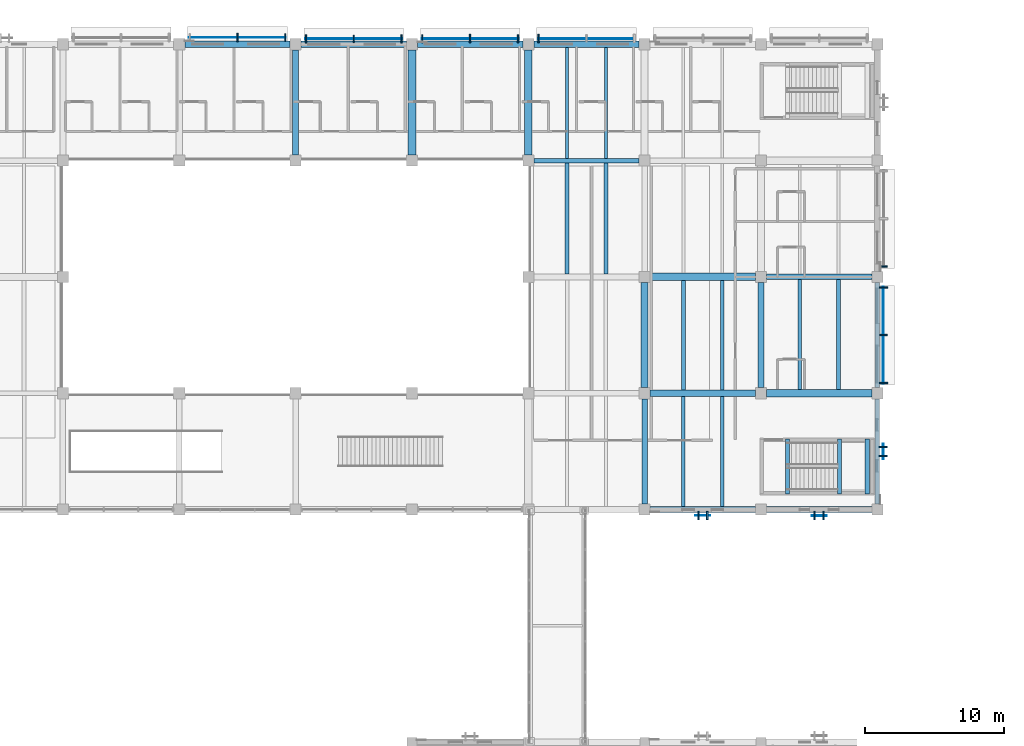
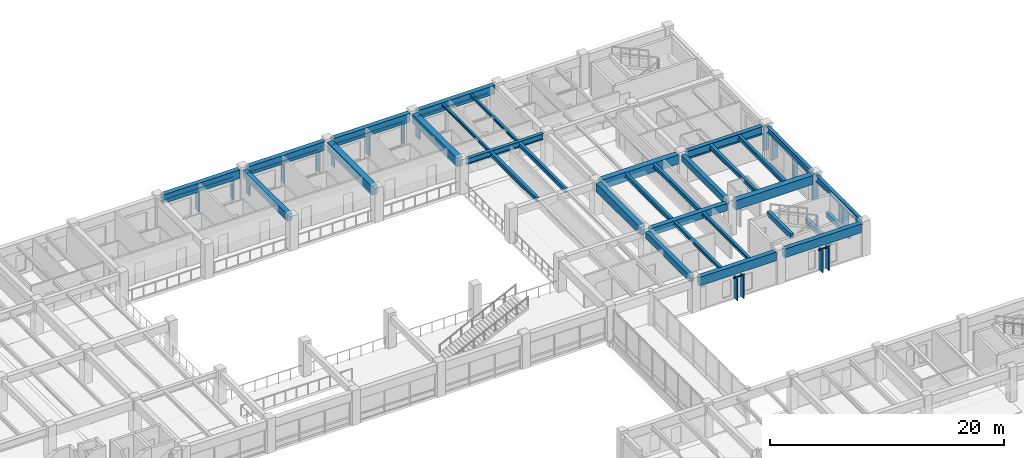
# One storey, part 49 of 118: 32 beams, 27 members, 9 elements without a shape of their own.
"""IFC4 building model written with IfcOpenShell, lengths in metres."""

from ifc_helpers import new_model, si_unit, direction, frame, origin, origin_2d, place, context, subcontext, project, spatial, rectangle, i_section, extrude, material, material_profile, profile_set, type_object, element, aggregate, save


model = new_model("IFC4")

# Units and contexts
model_context = context("Model", 3, precision=1e-05, world=origin(), true_north=direction((0.0, 1.0)))
body_context = subcontext(model_context, "Body", "Model", "MODEL_VIEW")
ifc_project = project(units=[si_unit("LENGTHUNIT", "METRE"), si_unit("AREAUNIT", "SQUARE_METRE"), si_unit("VOLUMEUNIT", "CUBIC_METRE"), si_unit("PLANEANGLEUNIT", "RADIAN"), si_unit("MASSUNIT", "GRAM", prefix="KILO")], contexts=[model_context])

# Site, building, storey
site_placement = place(None, origin())
site = spatial("IfcSite", under=ifc_project, at=site_placement, CompositionType="ELEMENT")
building_placement = place(site_placement, origin())
building = spatial("IfcBuilding", under=site, at=building_placement, Name="Cumbredor Promenade Congress Hotel", CompositionType="ELEMENT")
storey_placement = place(building_placement, frame((0.0, 0.0, 3.919921875)))
storey = spatial("IfcBuildingStorey", under=building, at=storey_placement, Name="L01", CompositionType="ELEMENT", Elevation=3.919921875)

# Beams
ifc_material_1 = material(Name="Concrete C40/50", Category="concrete")
ifc_material_profile_1 = material_profile(ifc_material_1, rectangle(XDim=0.39990234375, YDim=0.64990234375, at=origin_2d()), Name="RC BEAM 400x650")
ifc_profile_set_1 = profile_set([ifc_material_profile_1], Name="Concrete C40/50")
beam_type_1 = type_object("IfcBeamType", Name="BM-RC-400x650", PredefinedType="BEAM", material=ifc_profile_set_1)
beam_1_placement = place(storey_placement, frame((159.60009765625, 84.39990234375, 3.03515625), z_axis=(0.0, 1.0, 0.0), x_axis=(-1.0, 0.0, 0.0)))
element("IfcBeam", 1, at=beam_1_placement, inside=storey, type_object=beam_type_1, Name="L02 Y-Grid Beam 253", PredefinedType="BEAM", context=body_context, shape_type="SweptSolid", body=[
    extrude(rectangle(XDim=0.39990234375, YDim=0.64990234375, at=origin_2d()), origin(), (0.0, 0.0, 1.0), 7.60009765625),
])
beam_2_placement = place(storey_placement, frame((168.0, 92.800048828125, 3.03515625), z_axis=(0.0, 1.0, 0.0), x_axis=(-1.0, 0.0, 0.0)))
element("IfcBeam", 2, at=beam_2_placement, inside=storey, type_object=beam_type_1, Name="L02 Y-Grid Beam 269", PredefinedType="BEAM", context=body_context, shape_type="SweptSolid", body=[
    extrude(rectangle(XDim=0.39990234375, YDim=0.64990234375, at=origin_2d()), origin(), (0.0, 0.0, 1.0), 7.599853515625),
])
ifc_material_profile_2 = material_profile(ifc_material_1, rectangle(XDim=0.449951171875, YDim=0.75, at=origin_2d()), Name="RC BEAM 450x750")
ifc_profile_set_2 = profile_set([ifc_material_profile_2], Name="Concrete C40/50")
beam_type_2 = type_object("IfcBeamType", Name="BM-RC-450x750", PredefinedType="BEAM", material=ifc_profile_set_2)
beam_3_placement = place(storey_placement, frame((134.39990234375, 109.60009765625, 2.985107421875), z_axis=(0.0, 1.0, 0.0), x_axis=(-1.0, 0.0, 0.0)))
element("IfcBeam", 3, at=beam_3_placement, inside=storey, type_object=beam_type_2, Name="L02 Y-Grid Beam 218", PredefinedType="BEAM", context=body_context, shape_type="SweptSolid", body=[
    extrude(rectangle(XDim=0.449951171875, YDim=0.75, at=origin_2d()), origin(), (0.0, 0.0, 1.0), 7.599853515625),
])
beam_4_placement = place(storey_placement, frame((160.0, 92.39990234375, 2.985107421875), z_axis=(1.0, 0.0, 0.0), x_axis=(0.0, 1.0, 0.0)))
element("IfcBeam", 4, at=beam_4_placement, inside=storey, type_object=beam_type_2, Name="L02 X-Grid Beam 254", PredefinedType="BEAM", context=body_context, shape_type="SweptSolid", body=[
    extrude(rectangle(XDim=0.449951171875, YDim=0.75, at=origin_2d()), origin(), (0.0, 0.0, 1.0), 7.60009765625),
])
ifc_material_profile_3 = material_profile(ifc_material_1, rectangle(XDim=0.5, YDim=0.85009765625, at=origin_2d()), Name="RC BEAM 500x850")
ifc_profile_set_3 = profile_set([ifc_material_profile_3], Name="Concrete C40/50")
beam_type_3 = type_object("IfcBeamType", Name="BM-RC-500x850", PredefinedType="BEAM", material=ifc_profile_set_3)
beam_5_placement = place(storey_placement, frame((159.60009765625, 92.800048828125, 2.93505859375), z_axis=(0.0, 1.0, 0.0), x_axis=(-1.0, 0.0, 0.0)))
element("IfcBeam", 5, at=beam_5_placement, inside=storey, type_object=beam_type_3, Name="L02 Y-Grid Beam 255", PredefinedType="BEAM", context=body_context, shape_type="SweptSolid", body=[
    extrude(rectangle(XDim=0.5, YDim=0.85009765625, at=origin_2d()), origin(), (0.0, 0.0, 1.0), 7.599853515625),
])
ifc_material_profile_4 = material_profile(ifc_material_1, rectangle(XDim=0.550048828125, YDim=0.949951171875, at=origin_2d()), Name="RC BEAM 550x950")
ifc_profile_set_4 = profile_set([ifc_material_profile_4], Name="Concrete C40/50")
beam_type_4 = type_object("IfcBeamType", Name="BM-RC-550x950", PredefinedType="BEAM", material=ifc_profile_set_4)
for number, where, z_axis, x_axis, name in (
    (6, (142.800048828125, 109.60009765625, 2.885009765625), (0.0, 1.0, 0.0), (-1.0, 0.0, 0.0), "L02 Y-Grid Beam 232"),
    (7, (151.199951171875, 109.60009765625, 2.885009765625), (0.0, 1.0, 0.0), (-1.0, 0.0, 0.0), "L02 Y-Grid Beam 244"),
):
    element("IfcBeam", number, at=place(storey_placement, frame(where, z_axis=z_axis, x_axis=x_axis)), inside=storey, type_object=beam_type_4, Name=name, PredefinedType="BEAM", context=body_context, shape_type="SweptSolid", body=[
        extrude(rectangle(XDim=0.550048828125, YDim=0.949951171875, at=origin_2d()), origin(), (0.0, 0.0, 1.0), 7.599853515625),
    ])
for number, where, z_axis, x_axis, name in (
    (8, (160.0, 100.800048828125, 2.885009765625), (1.0, 0.0, 0.0), (0.0, 1.0, 0.0), "L02 X-Grid Beam 256"),
    (9, (168.39990234375, 92.39990234375, 2.885009765625), (1.0, 0.0, 0.0), (0.0, 1.0, 0.0), "L02 X-Grid Beam 268"),
):
    element("IfcBeam", number, at=place(storey_placement, frame(where, z_axis=z_axis, x_axis=x_axis)), inside=storey, type_object=beam_type_4, Name=name, PredefinedType="BEAM", context=body_context, shape_type="SweptSolid", body=[
        extrude(rectangle(XDim=0.550048828125, YDim=0.949951171875, at=origin_2d()), origin(), (0.0, 0.0, 1.0), 7.60009765625),
    ])
ifc_material_2 = material(Name="Steel ASTM A992 Grade 50", Category="steel")
ifc_material_profile_5 = material_profile(ifc_material_2, i_section(OverallWidth=0.323974609375, OverallDepth=0.611083984375, WebThickness=0.0126953125, FlangeThickness=0.01904296875, at=origin_2d()), Name="W24X104")
ifc_profile_set_5 = profile_set([ifc_material_profile_5], Name="Steel ASTM A992 Grade 50")
beam_type_5 = type_object("IfcBeamType", Name="BM-W24X104", PredefinedType="BEAM", material=ifc_profile_set_5)
beam_6_placement = place(storey_placement, frame((151.60009765625, 109.199951171875, 3.0546875), z_axis=(1.0, 0.0, 0.0), x_axis=(0.0, 1.0, 0.0)))
element("IfcBeam", 10, at=beam_6_placement, inside=storey, type_object=beam_type_5, Name="L02 X-Grid Beam 243", PredefinedType="BEAM", context=body_context, shape_type="SweptSolid", body=[
    extrude(i_section(OverallWidth=0.323974609375, OverallDepth=0.611083984375, WebThickness=0.0126953125, FlangeThickness=0.01904296875, at=origin_2d()), origin(), (0.0, 0.0, 1.0), 7.599853515625),
])
ifc_material_profile_6 = material_profile(ifc_material_2, i_section(OverallWidth=0.39990234375, OverallDepth=0.85498046875, WebThickness=0.018310546875, FlangeThickness=0.029296875, at=origin_2d()), Name="W33X201")
ifc_profile_set_6 = profile_set([ifc_material_profile_6], Name="Steel ASTM A992 Grade 50")
beam_type_6 = type_object("IfcBeamType", Name="BM-W33X201", PredefinedType="BEAM", material=ifc_profile_set_6)
beam_7_placement = place(storey_placement, frame((168.39990234375, 100.800048828125, 2.9326171875), z_axis=(1.0, 0.0, 0.0), x_axis=(0.0, 1.0, 0.0)))
element("IfcBeam", 11, at=beam_7_placement, inside=storey, type_object=beam_type_6, Name="L02 X-Grid Beam 270", PredefinedType="BEAM", context=body_context, shape_type="SweptSolid", body=[
    extrude(i_section(OverallWidth=0.39990234375, OverallDepth=0.85498046875, WebThickness=0.018310546875, FlangeThickness=0.029296875, at=origin_2d()), origin(), (0.0, 0.0, 1.0), 7.60009765625),
])

# Curtain wall, member
ifc_material_3 = material(Name="Thermally broken anodized aluminium and low-E glass", Category="aluminium")
curtain_wall_type = type_object("IfcCurtainWallType", Name="Solar Brise-Soleil Screen Assembly CW-07", PredefinedType="NOTDEFINED", material=ifc_material_3)
curtain_wall_1_placement = place(storey_placement, origin())
curtain_wall_1 = element("IfcCurtainWall", 12, at=curtain_wall_1_placement, inside=storey, type_object=curtain_wall_type, Name="L01 Pier Brise-Soleil Screen 0229", PredefinedType="NOTDEFINED")
ifc_material_4 = material(Name="Thermally broken anodized aluminium", Category="aluminium")
ifc_material_profile_7 = material_profile(ifc_material_4, rectangle(XDim=0.06494140625, YDim=0.1298828125, at=origin_2d()), Name="ALU TRANSOM 65x130")
ifc_profile_set_7 = profile_set([ifc_material_profile_7], Name="Thermally broken anodized aluminium")
member_type_1 = type_object("IfcMemberType", Name="Curtain Wall Transom TR-01", PredefinedType="USERDEFINED", material=ifc_profile_set_7)
member_1_placement = place(storey_placement, frame((163.25, 83.577392578125, 2.28515625), z_axis=(1.0, 0.0, 0.0), x_axis=(0.0, 1.0, 0.0)))
member_1 = element("IfcMember", 13, at=member_1_placement, type_object=member_type_1, Name="L01 Pier Brise-Soleil Header 0231", ObjectType="TRANSOM", PredefinedType="USERDEFINED", context=body_context, shape_type="SweptSolid", body=[
    extrude(rectangle(XDim=0.06494140625, YDim=0.1298828125, at=origin_2d()), origin(), (0.0, 0.0, 1.0), 1.10009765625),
])

curtain_wall_2_placement = place(storey_placement, origin())
curtain_wall_2 = element("IfcCurtainWall", 14, at=curtain_wall_2_placement, inside=storey, type_object=curtain_wall_type, Name="L01 Pier Brise-Soleil Screen 0232", PredefinedType="NOTDEFINED")
member_2_placement = place(storey_placement, frame((171.64990234375, 83.56494140625, 2.28515625), z_axis=(1.0, 0.0, 0.0), x_axis=(0.0, 1.0, 0.0)))
member_2 = element("IfcMember", 15, at=member_2_placement, type_object=member_type_1, Name="L01 Pier Brise-Soleil Header 0234", ObjectType="TRANSOM", PredefinedType="USERDEFINED", context=body_context, shape_type="SweptSolid", body=[
    extrude(rectangle(XDim=0.06494140625, YDim=0.1298828125, at=origin_2d()), origin(), (0.0, 0.0, 1.0), 1.10009765625),
])

curtain_wall_3_placement = place(storey_placement, origin())
curtain_wall_3 = element("IfcCurtainWall", 16, at=curtain_wall_3_placement, inside=storey, type_object=curtain_wall_type, Name="L01 Hospitality Brise-Soleil Screen 009", PredefinedType="NOTDEFINED")
member_3_placement = place(storey_placement, frame((126.700927734375, 118.0849609375, 2.26513671875), z_axis=(1.0, 0.0, 0.0), x_axis=(0.0, 1.0, 0.0)))
member_3 = element("IfcMember", 17, at=member_3_placement, type_object=member_type_1, Name="L01 Brise-Soleil Screen Transom 009", ObjectType="TRANSOM", PredefinedType="USERDEFINED", context=body_context, shape_type="SweptSolid", body=[
    extrude(rectangle(XDim=0.06494140625, YDim=0.1298828125, at=origin_2d()), origin(), (0.0, 0.0, 1.0), 6.998046875),
])

curtain_wall_4_placement = place(storey_placement, origin())
curtain_wall_4 = element("IfcCurtainWall", 18, at=curtain_wall_4_placement, inside=storey, type_object=curtain_wall_type, Name="L01 Hospitality Brise-Soleil Screen 010", PredefinedType="NOTDEFINED")
member_4_placement = place(storey_placement, frame((135.10107421875, 117.989990234375, 2.26513671875), z_axis=(1.0, 0.0, 0.0), x_axis=(0.0, 1.0, 0.0)))
member_4 = element("IfcMember", 19, at=member_4_placement, type_object=member_type_1, Name="L01 Brise-Soleil Screen Transom 010", ObjectType="TRANSOM", PredefinedType="USERDEFINED", context=body_context, shape_type="SweptSolid", body=[
    extrude(rectangle(XDim=0.06494140625, YDim=0.1298828125, at=origin_2d()), origin(), (0.0, 0.0, 1.0), 6.998046875),
])

curtain_wall_5_placement = place(storey_placement, origin())
curtain_wall_5 = element("IfcCurtainWall", 20, at=curtain_wall_5_placement, inside=storey, type_object=curtain_wall_type, Name="L01 Hospitality Brise-Soleil Screen 011", PredefinedType="NOTDEFINED")
member_5_placement = place(storey_placement, frame((143.5009765625, 118.0, 2.26513671875), z_axis=(1.0, 0.0, 0.0), x_axis=(0.0, 1.0, 0.0)))
member_5 = element("IfcMember", 21, at=member_5_placement, type_object=member_type_1, Name="L01 Brise-Soleil Screen Transom 011", ObjectType="TRANSOM", PredefinedType="USERDEFINED", context=body_context, shape_type="SweptSolid", body=[
    extrude(rectangle(XDim=0.06494140625, YDim=0.1298828125, at=origin_2d()), origin(), (0.0, 0.0, 1.0), 6.998046875),
])

curtain_wall_6_placement = place(storey_placement, origin())
curtain_wall_6 = element("IfcCurtainWall", 22, at=curtain_wall_6_placement, inside=storey, type_object=curtain_wall_type, Name="L01 Hospitality Brise-Soleil Screen 012", PredefinedType="NOTDEFINED")
member_6_placement = place(storey_placement, frame((151.90087890625, 118.010009765625, 2.26513671875), z_axis=(1.0, 0.0, 0.0), x_axis=(0.0, 1.0, 0.0)))
member_6 = element("IfcMember", 23, at=member_6_placement, type_object=member_type_1, Name="L01 Brise-Soleil Screen Transom 012", ObjectType="TRANSOM", PredefinedType="USERDEFINED", context=body_context, shape_type="SweptSolid", body=[
    extrude(rectangle(XDim=0.06494140625, YDim=0.1298828125, at=origin_2d()), origin(), (0.0, 0.0, 1.0), 6.998046875),
])

curtain_wall_7_placement = place(storey_placement, origin())
curtain_wall_7 = element("IfcCurtainWall", 24, at=curtain_wall_7_placement, inside=storey, type_object=curtain_wall_type, Name="L01 Pier Brise-Soleil Screen 0271", PredefinedType="NOTDEFINED")
member_7_placement = place(storey_placement, frame((176.822509765625, 87.64990234375, 2.573974609375), z_axis=(0.0, 1.0, 0.0), x_axis=(-1.0, 0.0, 0.0)))
member_7 = element("IfcMember", 25, at=member_7_placement, type_object=member_type_1, Name="L01 Pier Brise-Soleil Header 0273", ObjectType="TRANSOM", PredefinedType="USERDEFINED", context=body_context, shape_type="SweptSolid", body=[
    extrude(rectangle(XDim=0.06494140625, YDim=0.1298828125, at=origin_2d()), origin(), (0.0, 0.0, 1.0), 1.10009765625),
])

curtain_wall_8_placement = place(storey_placement, origin())
curtain_wall_8 = element("IfcCurtainWall", 26, at=curtain_wall_8_placement, inside=storey, type_object=curtain_wall_type, Name="L01 Hospitality Brise-Soleil Screen 015", PredefinedType="NOTDEFINED")
member_8_placement = place(storey_placement, frame((176.8349609375, 93.10107421875, 2.55419921875), z_axis=(0.0, 1.0, 0.0), x_axis=(-1.0, 0.0, 0.0)))
member_8 = element("IfcMember", 27, at=member_8_placement, type_object=member_type_1, Name="L01 Brise-Soleil Screen Transom 015", ObjectType="TRANSOM", PredefinedType="USERDEFINED", context=body_context, shape_type="SweptSolid", body=[
    extrude(rectangle(XDim=0.06494140625, YDim=0.1298828125, at=origin_2d()), origin(), (0.0, 0.0, 1.0), 6.998046875),
])

# Beams
ifc_material_profile_8 = material_profile(ifc_material_2, i_section(OverallWidth=0.202880859375, OverallDepth=0.302978515625, WebThickness=0.007568359375, FlangeThickness=0.01318359375, at=origin_2d()), Name="W12X40")
ifc_profile_set_8 = profile_set([ifc_material_profile_8], Name="Steel ASTM A992 Grade 50")
beam_type_7 = type_object("IfcBeamType", Name="JST-W12X40", PredefinedType="JOIST", material=ifc_profile_set_8)
for number, where, z_axis, x_axis, name in (
    (28, (154.0, 109.362060546875, 3.20849609375), (0.0, 1.0, 0.0), (-1.0, 0.0, 0.0), "L02 Secondary Floor Joist 0137"),
    (29, (156.800048828125, 109.362060546875, 3.20849609375), (0.0, 1.0, 0.0), (-1.0, 0.0, 0.0), "L02 Secondary Floor Joist 0138"),
):
    element("IfcBeam", number, at=place(storey_placement, frame(where, z_axis=z_axis, x_axis=x_axis)), inside=storey, type_object=beam_type_7, Name=name, PredefinedType="JOIST", context=body_context, shape_type="SweptSolid", body=[
        extrude(i_section(OverallWidth=0.202880859375, OverallDepth=0.302978515625, WebThickness=0.007568359375, FlangeThickness=0.01318359375, at=origin_2d()), origin(), (0.0, 0.0, 1.0), 8.012939453125),
    ])
ifc_material_profile_9 = material_profile(ifc_material_2, i_section(OverallWidth=0.2548828125, OverallDepth=0.35693359375, WebThickness=0.010498046875, FlangeThickness=0.018310546875, at=origin_2d()), Name="W14X68")
ifc_profile_set_9 = profile_set([ifc_material_profile_9], Name="Steel ASTM A992 Grade 50")
beam_type_8 = type_object("IfcBeamType", Name="JST-W14X68", PredefinedType="JOIST", material=ifc_profile_set_9)
for number, where, z_axis, x_axis, name in (
    (30, (162.39990234375, 84.22509765625, 3.181640625), (0.0, 1.0, 0.0), (-1.0, 0.0, 0.0), "L02 Secondary Floor Joist 0143"),
    (31, (165.199951171875, 84.22509765625, 3.181640625), (0.0, 1.0, 0.0), (-1.0, 0.0, 0.0), "L02 Secondary Floor Joist 0144"),
):
    element("IfcBeam", number, at=place(storey_placement, frame(where, z_axis=z_axis, x_axis=x_axis)), inside=storey, type_object=beam_type_8, Name=name, PredefinedType="JOIST", context=body_context, shape_type="SweptSolid", body=[
        extrude(i_section(OverallWidth=0.2548828125, OverallDepth=0.35693359375, WebThickness=0.010498046875, FlangeThickness=0.018310546875, at=origin_2d()), origin(), (0.0, 0.0, 1.0), 7.949951171875),
    ])
ifc_material_profile_10 = material_profile(ifc_material_2, i_section(OverallWidth=0.280029296875, OverallDepth=0.462890625, WebThickness=0.0107421875, FlangeThickness=0.017333984375, at=origin_2d()), Name="W18X76")
ifc_profile_set_10 = profile_set([ifc_material_profile_10], Name="Steel ASTM A992 Grade 50")
beam_type_9 = type_object("IfcBeamType", Name="JST-W18X76", PredefinedType="JOIST", material=ifc_profile_set_10)
for number, where, z_axis, x_axis, name in (
    (32, (154.0, 101.02490234375, 3.128662109375), (0.0, 1.0, 0.0), (-1.0, 0.0, 0.0), "L02 Secondary Floor Joist 0135"),
    (33, (156.800048828125, 101.02490234375, 3.128662109375), (0.0, 1.0, 0.0), (-1.0, 0.0, 0.0), "L02 Secondary Floor Joist 0136"),
):
    element("IfcBeam", number, at=place(storey_placement, frame(where, z_axis=z_axis, x_axis=x_axis)), inside=storey, type_object=beam_type_9, Name=name, PredefinedType="JOIST", context=body_context, shape_type="SweptSolid", body=[
        extrude(i_section(OverallWidth=0.280029296875, OverallDepth=0.462890625, WebThickness=0.0107421875, FlangeThickness=0.017333984375, at=origin_2d()), origin(), (0.0, 0.0, 1.0), 8.01318359375),
    ])
for number, where, z_axis, x_axis, name in (
    (34, (162.39990234375, 92.625, 3.128662109375), (0.0, 1.0, 0.0), (-1.0, 0.0, 0.0), "L02 Secondary Floor Joist 0145"),
    (35, (165.199951171875, 92.625, 3.128662109375), (0.0, 1.0, 0.0), (-1.0, 0.0, 0.0), "L02 Secondary Floor Joist 0146"),
):
    element("IfcBeam", number, at=place(storey_placement, frame(where, z_axis=z_axis, x_axis=x_axis)), inside=storey, type_object=beam_type_9, Name=name, PredefinedType="JOIST", context=body_context, shape_type="SweptSolid", body=[
        extrude(i_section(OverallWidth=0.280029296875, OverallDepth=0.462890625, WebThickness=0.0107421875, FlangeThickness=0.017333984375, at=origin_2d()), origin(), (0.0, 0.0, 1.0), 7.89990234375),
    ])
for number, where, z_axis, x_axis, name in (
    (36, (170.800048828125, 92.675048828125, 3.128662109375), (0.0, 1.0, 0.0), (-1.0, 0.0, 0.0), "L02 Secondary Floor Joist 0155"),
    (37, (173.60009765625, 92.675048828125, 3.128662109375), (0.0, 1.0, 0.0), (-1.0, 0.0, 0.0), "L02 Secondary Floor Joist 0156"),
):
    element("IfcBeam", number, at=place(storey_placement, frame(where, z_axis=z_axis, x_axis=x_axis)), inside=storey, type_object=beam_type_9, Name=name, PredefinedType="JOIST", context=body_context, shape_type="SweptSolid", body=[
        extrude(i_section(OverallWidth=0.280029296875, OverallDepth=0.462890625, WebThickness=0.0107421875, FlangeThickness=0.017333984375, at=origin_2d()), origin(), (0.0, 0.0, 1.0), 7.925048828125),
    ])
ifc_material_profile_11 = material_profile(ifc_material_1, rectangle(XDim=0.300048828125, YDim=0.5, at=origin_2d()), Name="RC LINTEL 300x500")
ifc_profile_set_11 = profile_set([ifc_material_profile_11], Name="Concrete C40/50")
beam_type_10 = type_object("IfcBeamType", Name="LN-RC-300x500", PredefinedType="LINTEL", material=ifc_profile_set_11)
for number, where, z_axis, x_axis, name in (
    (38, (175.669921875, 85.1298828125, 1.3701171875), (0.0, 1.0, 0.0), (-1.0, 0.0, 0.0), "L01 Stair ST-14 Landing Ledger Beam E"),
    (39, (173.669921875, 85.1298828125, 1.3701171875), (0.0, 1.0, 0.0), (-1.0, 0.0, 0.0), "L01 Stair ST-14 Landing Ledger Beam W"),
    (40, (169.919921875, 85.1298828125, 3.39013671875), (0.0, 1.0, 0.0), (-1.0, 0.0, 0.0), "L02 Stair ST-14 Well Header Trimmer Beam"),
):
    element("IfcBeam", number, at=place(storey_placement, frame(where, z_axis=z_axis, x_axis=x_axis)), inside=storey, type_object=beam_type_10, Name=name, PredefinedType="LINTEL", context=body_context, shape_type="SweptSolid", body=[
        extrude(rectangle(XDim=0.300048828125, YDim=0.5, at=origin_2d()), origin(), (0.0, 0.0, 1.0), 3.97021484375),
    ])
ifc_material_profile_12 = material_profile(ifc_material_1, rectangle(XDim=0.449951171875, YDim=0.89990234375, at=origin_2d()), Name="RC SPANDREL 450x900")
ifc_profile_set_12 = profile_set([ifc_material_profile_12], Name="Concrete C40/50")
beam_type_11 = type_object("IfcBeamType", Name="SP-RC-450x900", PredefinedType="SPANDREL", material=ifc_profile_set_12)
beam_8_placement = place(storey_placement, frame((126.39990234375, 117.60009765625, 2.91015625), z_axis=(1.0, 0.0, 0.0), x_axis=(0.0, 1.0, 0.0)))
element("IfcBeam", 41, at=beam_8_placement, inside=storey, type_object=beam_type_11, Name="L02 X-Grid Beam 215", PredefinedType="SPANDREL", context=body_context, shape_type="SweptSolid", body=[
    extrude(rectangle(XDim=0.449951171875, YDim=0.89990234375, at=origin_2d()), origin(), (0.0, 0.0, 1.0), 7.60009765625),
])
beam_9_placement = place(storey_placement, frame((134.800048828125, 117.60009765625, 2.91015625), z_axis=(1.0, 0.0, 0.0), x_axis=(0.0, 1.0, 0.0)))
element("IfcBeam", 42, at=beam_9_placement, inside=storey, type_object=beam_type_11, Name="L02 X-Grid Beam 219", PredefinedType="SPANDREL", context=body_context, shape_type="SweptSolid", body=[
    extrude(rectangle(XDim=0.449951171875, YDim=0.89990234375, at=origin_2d()), origin(), (0.0, 0.0, 1.0), 7.599853515625),
])
beam_10_placement = place(storey_placement, frame((143.199951171875, 117.60009765625, 2.91015625), z_axis=(1.0, 0.0, 0.0), x_axis=(0.0, 1.0, 0.0)))
element("IfcBeam", 43, at=beam_10_placement, inside=storey, type_object=beam_type_11, Name="L02 X-Grid Beam 233", PredefinedType="SPANDREL", context=body_context, shape_type="SweptSolid", body=[
    extrude(rectangle(XDim=0.449951171875, YDim=0.89990234375, at=origin_2d()), origin(), (0.0, 0.0, 1.0), 7.60009765625),
])
beam_11_placement = place(storey_placement, frame((151.60009765625, 117.60009765625, 2.91015625), z_axis=(1.0, 0.0, 0.0), x_axis=(0.0, 1.0, 0.0)))
element("IfcBeam", 44, at=beam_11_placement, inside=storey, type_object=beam_type_11, Name="L02 X-Grid Beam 245", PredefinedType="SPANDREL", context=body_context, shape_type="SweptSolid", body=[
    extrude(rectangle(XDim=0.449951171875, YDim=0.89990234375, at=origin_2d()), origin(), (0.0, 0.0, 1.0), 7.599853515625),
])
for number, where, z_axis, x_axis, name in (
    (45, (160.0, 84.0, 2.91015625), (1.0, 0.0, 0.0), (0.0, 1.0, 0.0), "L02 X-Grid Beam 252"),
    (46, (168.39990234375, 84.0, 2.91015625), (1.0, 0.0, 0.0), (0.0, 1.0, 0.0), "L02 X-Grid Beam 267"),
):
    element("IfcBeam", number, at=place(storey_placement, frame(where, z_axis=z_axis, x_axis=x_axis)), inside=storey, type_object=beam_type_11, Name=name, PredefinedType="SPANDREL", context=body_context, shape_type="SweptSolid", body=[
        extrude(rectangle(XDim=0.449951171875, YDim=0.89990234375, at=origin_2d()), origin(), (0.0, 0.0, 1.0), 7.60009765625),
    ])
ifc_material_profile_13 = material_profile(ifc_material_2, i_section(OverallWidth=0.323974609375, OverallDepth=0.611083984375, WebThickness=0.0126953125, FlangeThickness=0.01904296875, at=origin_2d()), Name="W24X104")
ifc_profile_set_13 = profile_set([ifc_material_profile_13], Name="Steel ASTM A992 Grade 50")
beam_type_12 = type_object("IfcBeamType", Name="SP-W24X104", PredefinedType="SPANDREL", material=ifc_profile_set_13)
beam_12_placement = place(storey_placement, frame((176.39990234375, 84.39990234375, 3.0546875), z_axis=(0.0, 1.0, 0.0), x_axis=(-1.0, 0.0, 0.0)))
element("IfcBeam", 47, at=beam_12_placement, inside=storey, type_object=beam_type_12, Name="L02 Y-Grid Beam 278", PredefinedType="SPANDREL", context=body_context, shape_type="SweptSolid", body=[
    extrude(i_section(OverallWidth=0.323974609375, OverallDepth=0.611083984375, WebThickness=0.0126953125, FlangeThickness=0.01904296875, at=origin_2d()), origin(), (0.0, 0.0, 1.0), 7.60009765625),
])
beam_13_placement = place(storey_placement, frame((176.39990234375, 92.800048828125, 3.0546875), z_axis=(0.0, 1.0, 0.0), x_axis=(-1.0, 0.0, 0.0)))
element("IfcBeam", 48, at=beam_13_placement, inside=storey, type_object=beam_type_12, Name="L02 Y-Grid Beam 279", PredefinedType="SPANDREL", context=body_context, shape_type="SweptSolid", body=[
    extrude(i_section(OverallWidth=0.323974609375, OverallDepth=0.611083984375, WebThickness=0.0126953125, FlangeThickness=0.01904296875, at=origin_2d()), origin(), (0.0, 0.0, 1.0), 7.599853515625),
])

# Member
ifc_material_profile_14 = material_profile(ifc_material_4, rectangle(XDim=0.110107421875, YDim=0.6201171875, at=origin_2d()), Name="ARCH FIN 110x620")
ifc_profile_set_14 = profile_set([ifc_material_profile_14], Name="Thermally broken anodized aluminium")
member_type_2 = type_object("IfcMemberType", Name="Vertical Bronze Brise-Soleil Fin BSF-02 110x620", PredefinedType="USERDEFINED", material=ifc_profile_set_14)
member_9_placement = place(storey_placement, frame((163.47998046875, 83.577392578125, 0.02001953125), z_axis=(0.0, 0.0, 1.0), x_axis=(1.0, 0.0, 0.0)))
member_9 = element("IfcMember", 49, at=member_9_placement, type_object=member_type_2, Name="L01 Pier Brise-Soleil Fin 0230", ObjectType="SOLAR FIN", PredefinedType="USERDEFINED", context=body_context, shape_type="SweptSolid", body=[
    extrude(rectangle(XDim=0.110107421875, YDim=0.6201171875, at=origin_2d()), origin(), (0.0, 0.0, 1.0), 2.30517578125),
])

member_10_placement = place(storey_placement, frame((164.1201171875, 83.577392578125, 0.02001953125), z_axis=(0.0, 0.0, 1.0), x_axis=(1.0, 0.0, 0.0)))
member_10 = element("IfcMember", 50, at=member_10_placement, type_object=member_type_2, Name="L01 Pier Brise-Soleil Fin 0231", ObjectType="SOLAR FIN", PredefinedType="USERDEFINED", context=body_context, shape_type="SweptSolid", body=[
    extrude(rectangle(XDim=0.110107421875, YDim=0.6201171875, at=origin_2d()), origin(), (0.0, 0.0, 1.0), 2.30517578125),
])

aggregate(curtain_wall_1, [member_9, member_10, member_1])

member_11_placement = place(storey_placement, frame((171.8798828125, 83.56494140625, 0.02001953125), z_axis=(0.0, 0.0, 1.0), x_axis=(1.0, 0.0, 0.0)))
member_11 = element("IfcMember", 51, at=member_11_placement, type_object=member_type_2, Name="L01 Pier Brise-Soleil Fin 0233", ObjectType="SOLAR FIN", PredefinedType="USERDEFINED", context=body_context, shape_type="SweptSolid", body=[
    extrude(rectangle(XDim=0.110107421875, YDim=0.6201171875, at=origin_2d()), origin(), (0.0, 0.0, 1.0), 2.30517578125),
])

member_12_placement = place(storey_placement, frame((172.52001953125, 83.56494140625, 0.02001953125), z_axis=(0.0, 0.0, 1.0), x_axis=(1.0, 0.0, 0.0)))
member_12 = element("IfcMember", 52, at=member_12_placement, type_object=member_type_2, Name="L01 Pier Brise-Soleil Fin 0234", ObjectType="SOLAR FIN", PredefinedType="USERDEFINED", context=body_context, shape_type="SweptSolid", body=[
    extrude(rectangle(XDim=0.110107421875, YDim=0.6201171875, at=origin_2d()), origin(), (0.0, 0.0, 1.0), 2.30517578125),
])

aggregate(curtain_wall_2, [member_11, member_12, member_2])

member_13_placement = place(storey_placement, frame((130.199951171875, 118.0849609375, 0.02001953125), z_axis=(0.0, 0.0, 1.0), x_axis=(1.0, 0.0, 0.0)))
member_13 = element("IfcMember", 53, at=member_13_placement, type_object=member_type_2, Name="L01 Vertical Brise-Soleil Fin 0248", ObjectType="SOLAR FIN", PredefinedType="USERDEFINED", context=body_context, shape_type="SweptSolid", body=[
    extrude(rectangle(XDim=0.110107421875, YDim=0.6201171875, at=origin_2d()), origin(), (0.0, 0.0, 1.0), 2.30517578125),
])

member_14_placement = place(storey_placement, frame((135.15087890625, 117.989990234375, 0.02001953125), z_axis=(0.0, 0.0, 1.0), x_axis=(1.0, 0.0, 0.0)))
member_14 = element("IfcMember", 54, at=member_14_placement, type_object=member_type_2, Name="L01 Vertical Brise-Soleil Fin 0250", ObjectType="SOLAR FIN", PredefinedType="USERDEFINED", context=body_context, shape_type="SweptSolid", body=[
    extrude(rectangle(XDim=0.110107421875, YDim=0.6201171875, at=origin_2d()), origin(), (0.0, 0.0, 1.0), 2.30517578125),
])

member_15_placement = place(storey_placement, frame((142.049072265625, 117.989990234375, 0.02001953125), z_axis=(0.0, 0.0, 1.0), x_axis=(1.0, 0.0, 0.0)))
member_15 = element("IfcMember", 55, at=member_15_placement, type_object=member_type_2, Name="L01 Vertical Brise-Soleil Fin 0252", ObjectType="SOLAR FIN", PredefinedType="USERDEFINED", context=body_context, shape_type="SweptSolid", body=[
    extrude(rectangle(XDim=0.110107421875, YDim=0.6201171875, at=origin_2d()), origin(), (0.0, 0.0, 1.0), 2.30517578125),
])

member_16_placement = place(storey_placement, frame((147.0, 118.0, 0.02001953125), z_axis=(0.0, 0.0, 1.0), x_axis=(1.0, 0.0, 0.0)))
member_16 = element("IfcMember", 56, at=member_16_placement, type_object=member_type_2, Name="L01 Vertical Brise-Soleil Fin 0254", ObjectType="SOLAR FIN", PredefinedType="USERDEFINED", context=body_context, shape_type="SweptSolid", body=[
    extrude(rectangle(XDim=0.110107421875, YDim=0.6201171875, at=origin_2d()), origin(), (0.0, 0.0, 1.0), 2.30517578125),
])

member_17_placement = place(storey_placement, frame((151.950927734375, 118.010009765625, 0.02001953125), z_axis=(0.0, 0.0, 1.0), x_axis=(1.0, 0.0, 0.0)))
member_17 = element("IfcMember", 57, at=member_17_placement, type_object=member_type_2, Name="L01 Vertical Brise-Soleil Fin 0256", ObjectType="SOLAR FIN", PredefinedType="USERDEFINED", context=body_context, shape_type="SweptSolid", body=[
    extrude(rectangle(XDim=0.110107421875, YDim=0.6201171875, at=origin_2d()), origin(), (0.0, 0.0, 1.0), 2.30517578125),
])

aggregate(curtain_wall_6, [member_6, member_17])

member_18_placement = place(storey_placement, frame((176.822509765625, 87.8798828125, 0.02001953125), z_axis=(0.0, 0.0, 1.0), x_axis=(0.0, 1.0, 0.0)))
member_18 = element("IfcMember", 58, at=member_18_placement, type_object=member_type_2, Name="L01 Pier Brise-Soleil Fin 0272", ObjectType="SOLAR FIN", PredefinedType="USERDEFINED", context=body_context, shape_type="SweptSolid", body=[
    extrude(rectangle(XDim=0.110107421875, YDim=0.6201171875, at=origin_2d()), origin(), (0.0, 0.0, 1.0), 2.593994140625),
])

member_19_placement = place(storey_placement, frame((176.822509765625, 88.52001953125, 0.02001953125), z_axis=(0.0, 0.0, 1.0), x_axis=(0.0, 1.0, 0.0)))
member_19 = element("IfcMember", 59, at=member_19_placement, type_object=member_type_2, Name="L01 Pier Brise-Soleil Fin 0273", ObjectType="SOLAR FIN", PredefinedType="USERDEFINED", context=body_context, shape_type="SweptSolid", body=[
    extrude(rectangle(XDim=0.110107421875, YDim=0.6201171875, at=origin_2d()), origin(), (0.0, 0.0, 1.0), 2.593994140625),
])

aggregate(curtain_wall_7, [member_18, member_19, member_7])

member_20_placement = place(storey_placement, frame((176.8349609375, 93.15087890625, 0.02001953125), z_axis=(0.0, 0.0, 1.0), x_axis=(0.0, 1.0, 0.0)))
member_20 = element("IfcMember", 60, at=member_20_placement, type_object=member_type_2, Name="L01 Vertical Brise-Soleil Fin 0274", ObjectType="SOLAR FIN", PredefinedType="USERDEFINED", context=body_context, shape_type="SweptSolid", body=[
    extrude(rectangle(XDim=0.110107421875, YDim=0.6201171875, at=origin_2d()), origin(), (0.0, 0.0, 1.0), 2.593994140625),
])

member_21_placement = place(storey_placement, frame((176.8349609375, 100.049072265625, 0.02001953125), z_axis=(0.0, 0.0, 1.0), x_axis=(0.0, 1.0, 0.0)))
member_21 = element("IfcMember", 61, at=member_21_placement, type_object=member_type_2, Name="L01 Vertical Brise-Soleil Fin 0276", ObjectType="SOLAR FIN", PredefinedType="USERDEFINED", context=body_context, shape_type="SweptSolid", body=[
    extrude(rectangle(XDim=0.110107421875, YDim=0.6201171875, at=origin_2d()), origin(), (0.0, 0.0, 1.0), 2.593994140625),
])

ifc_material_5 = material(Name="Kiln-dried tropical hardwood", Category="wood")
ifc_material_profile_15 = material_profile(ifc_material_5, rectangle(XDim=0.090087890625, YDim=0.550048828125, at=origin_2d()), Name="ARCH FIN 90x550")
ifc_profile_set_15 = profile_set([ifc_material_profile_15], Name="Kiln-dried tropical hardwood")
member_type_3 = type_object("IfcMemberType", Name="Vertical Hardwood Brise-Soleil Fin BSF-01 90x550", PredefinedType="USERDEFINED", material=ifc_profile_set_15)
member_22_placement = place(storey_placement, frame((133.64892578125, 118.0849609375, 0.02001953125), z_axis=(0.0, 0.0, 1.0), x_axis=(1.0, 0.0, 0.0)))
member_22 = element("IfcMember", 62, at=member_22_placement, type_object=member_type_3, Name="L01 Vertical Brise-Soleil Fin 0249", ObjectType="SOLAR FIN", PredefinedType="USERDEFINED", context=body_context, shape_type="SweptSolid", body=[
    extrude(rectangle(XDim=0.090087890625, YDim=0.550048828125, at=origin_2d()), origin(), (0.0, 0.0, 1.0), 2.30517578125),
])

aggregate(curtain_wall_3, [member_3, member_13, member_22])

member_23_placement = place(storey_placement, frame((138.60009765625, 117.989990234375, 0.02001953125), z_axis=(0.0, 0.0, 1.0), x_axis=(1.0, 0.0, 0.0)))
member_23 = element("IfcMember", 63, at=member_23_placement, type_object=member_type_3, Name="L01 Vertical Brise-Soleil Fin 0251", ObjectType="SOLAR FIN", PredefinedType="USERDEFINED", context=body_context, shape_type="SweptSolid", body=[
    extrude(rectangle(XDim=0.090087890625, YDim=0.550048828125, at=origin_2d()), origin(), (0.0, 0.0, 1.0), 2.30517578125),
])

aggregate(curtain_wall_4, [member_4, member_14, member_23, member_15])

member_24_placement = place(storey_placement, frame((143.551025390625, 118.0, 0.02001953125), z_axis=(0.0, 0.0, 1.0), x_axis=(1.0, 0.0, 0.0)))
member_24 = element("IfcMember", 64, at=member_24_placement, type_object=member_type_3, Name="L01 Vertical Brise-Soleil Fin 0253", ObjectType="SOLAR FIN", PredefinedType="USERDEFINED", context=body_context, shape_type="SweptSolid", body=[
    extrude(rectangle(XDim=0.090087890625, YDim=0.550048828125, at=origin_2d()), origin(), (0.0, 0.0, 1.0), 2.30517578125),
])

member_25_placement = place(storey_placement, frame((150.448974609375, 118.0, 0.02001953125), z_axis=(0.0, 0.0, 1.0), x_axis=(1.0, 0.0, 0.0)))
member_25 = element("IfcMember", 65, at=member_25_placement, type_object=member_type_3, Name="L01 Vertical Brise-Soleil Fin 0255", ObjectType="SOLAR FIN", PredefinedType="USERDEFINED", context=body_context, shape_type="SweptSolid", body=[
    extrude(rectangle(XDim=0.090087890625, YDim=0.550048828125, at=origin_2d()), origin(), (0.0, 0.0, 1.0), 2.30517578125),
])

aggregate(curtain_wall_5, [member_5, member_24, member_16, member_25])

member_26_placement = place(storey_placement, frame((176.8349609375, 96.60009765625, 0.02001953125), z_axis=(0.0, 0.0, 1.0), x_axis=(0.0, 1.0, 0.0)))
member_26 = element("IfcMember", 66, at=member_26_placement, type_object=member_type_3, Name="L01 Vertical Brise-Soleil Fin 0275", ObjectType="SOLAR FIN", PredefinedType="USERDEFINED", context=body_context, shape_type="SweptSolid", body=[
    extrude(rectangle(XDim=0.090087890625, YDim=0.550048828125, at=origin_2d()), origin(), (0.0, 0.0, 1.0), 2.593994140625),
])

aggregate(curtain_wall_8, [member_8, member_20, member_26, member_21])

# Curtain wall, member
curtain_wall_9_placement = place(storey_placement, origin())
curtain_wall_9 = element("IfcCurtainWall", 67, at=curtain_wall_9_placement, inside=storey, type_object=curtain_wall_type, Name="L01 Hospitality Brise-Soleil Screen 016", PredefinedType="NOTDEFINED")
member_27_placement = place(storey_placement, frame((176.85009765625, 101.551025390625, 0.02001953125), z_axis=(0.0, 0.0, 1.0), x_axis=(0.0, 1.0, 0.0)))
member_27 = element("IfcMember", 68, at=member_27_placement, type_object=member_type_3, Name="L01 Vertical Brise-Soleil Fin 0277", ObjectType="SOLAR FIN", PredefinedType="USERDEFINED", context=body_context, shape_type="SweptSolid", body=[
    extrude(rectangle(XDim=0.090087890625, YDim=0.550048828125, at=origin_2d()), origin(), (0.0, 0.0, 1.0), 2.593994140625),
])
aggregate(curtain_wall_9, [member_27])

save(model, "model.ifc")
